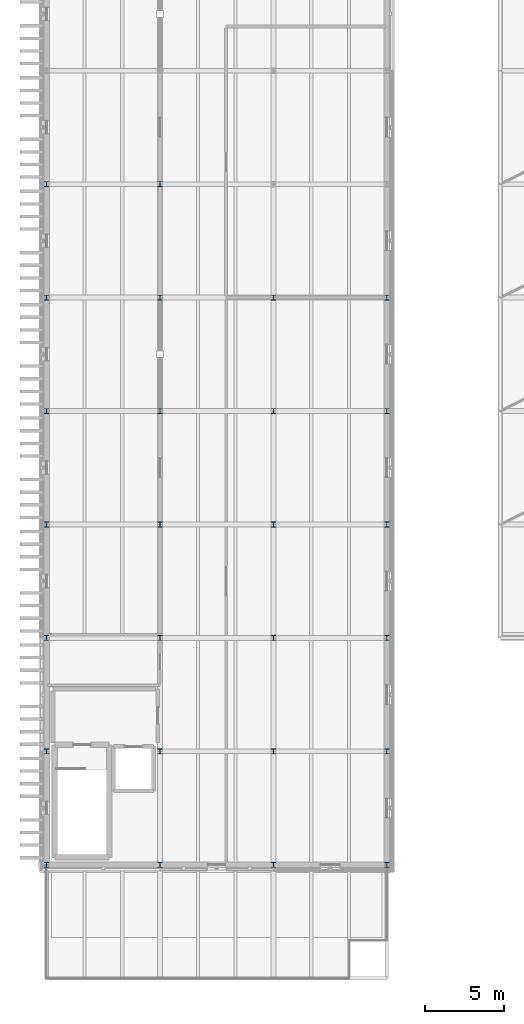
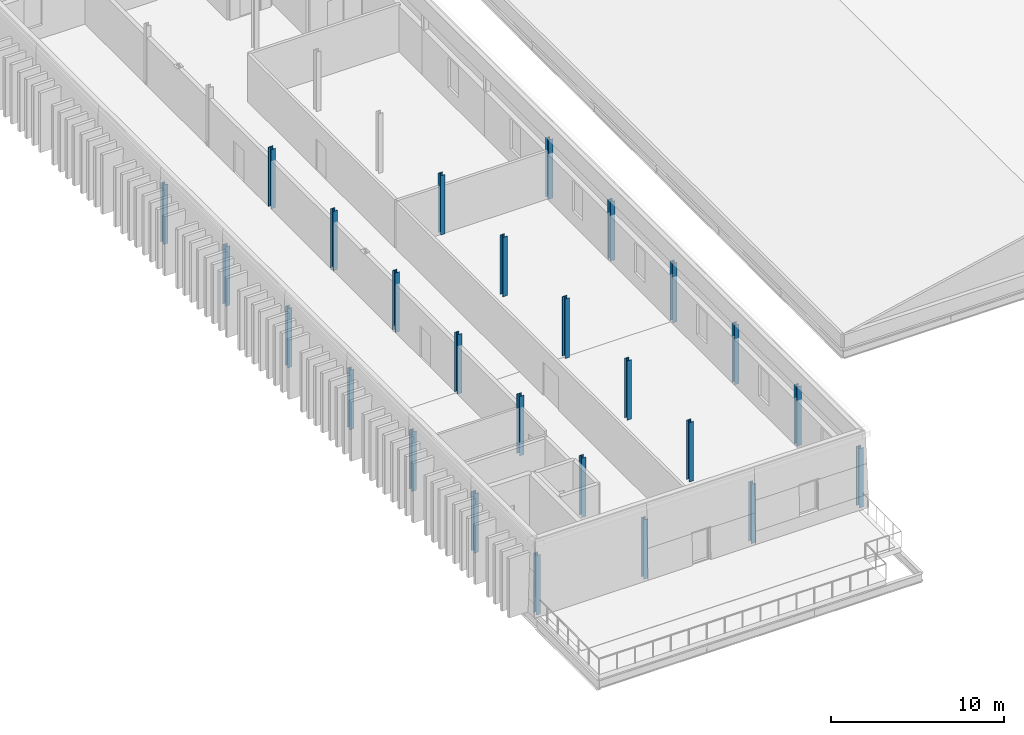
# One storey, part 1 of 44: 26 columns.
"""IFC4 building model written with IfcOpenShell, lengths in metres."""

from ifc_helpers import new_model, si_unit, direction, frame, origin, origin_2d, place, context, subcontext, project, spatial, i_section, extrude, material, material_profile, profile_set, type_object, element, save


model = new_model("IFC4")

# Units and contexts
model_context = context("Model", 3, precision=1e-05, world=origin(), true_north=direction((0.0, 1.0)))
body_context = subcontext(model_context, "Body", "Model", "MODEL_VIEW")
ifc_project = project(units=[si_unit("LENGTHUNIT", "METRE"), si_unit("AREAUNIT", "SQUARE_METRE"), si_unit("VOLUMEUNIT", "CUBIC_METRE"), si_unit("PLANEANGLEUNIT", "RADIAN"), si_unit("MASSUNIT", "GRAM", prefix="KILO")], contexts=[model_context])

# Site, building, storey
site_placement = place(None, origin())
site = spatial("IfcSite", under=ifc_project, at=site_placement, CompositionType="ELEMENT")
building_placement = place(site_placement, origin())
building = spatial("IfcBuilding", under=site, at=building_placement, Name="Narikvali Park Central Library", CompositionType="ELEMENT")
storey_placement = place(building_placement, frame((0.0, 0.0, 22.800048828125)))
storey = spatial("IfcBuildingStorey", under=building, at=storey_placement, Name="L05", CompositionType="ELEMENT", Elevation=22.800048828125)

# Columns
ifc_material = material(Name="Steel S355", Category="steel")
ifc_material_profile = material_profile(ifc_material, i_section(OverallWidth=0.300048828125, OverallDepth=0.320068359375, WebThickness=0.011474609375, FlangeThickness=0.0205078125, FilletRadius=0.027099609375, at=origin_2d()), Name="HEB 320")
ifc_profile_set = profile_set([ifc_material_profile], Name="Steel S355")
column_type = type_object("IfcColumnType", Name="Steel Column HEB320", PredefinedType="COLUMN", material=ifc_profile_set)
for number, where, z_axis, x_axis, name in (
    (1, (0.0, 43.199951171875, 0.0), (0.0, 0.0, 1.0), (1.0, 0.0, 0.0), "V5 L05 Column (0.0,43.2)"),
    (2, (0.0, 50.39990234375, 0.0), (0.0, 0.0, 1.0), (1.0, 0.0, 0.0), "V5 L05 Column (0.0,50.4)"),
    (3, (0.0, 57.60009765625, 0.0), (0.0, 0.0, 1.0), (1.0, 0.0, 0.0), "V5 L05 Column (0.0,57.6)"),
    (4, (0.0, 64.800048828125, 0.0), (0.0, 0.0, 1.0), (1.0, 0.0, 0.0), "V5 L05 Column (0.0,64.8)"),
    (5, (0.0, 72.0, 0.0), (0.0, 0.0, 1.0), (1.0, 0.0, 0.0), "V5 L05 Column (0.0,72.0)"),
    (6, (0.0, 79.199951171875, 0.0), (0.0, 0.0, 1.0), (1.0, 0.0, 0.0), "V5 L05 Column (0.0,79.2)"),
    (7, (0.0, 86.39990234375, 0.0), (0.0, 0.0, 1.0), (1.0, 0.0, 0.0), "V5 L05 Column (0.0,86.4)"),
    (8, (7.199951171875, 43.199951171875, 0.0), (0.0, 0.0, 1.0), (1.0, 0.0, 0.0), "V5 L05 Column (7.2,43.2)"),
    (9, (7.199951171875, 50.39990234375, 0.0), (0.0, 0.0, 1.0), (1.0, 0.0, 0.0), "V5 L05 Column (7.2,50.4)"),
    (10, (7.199951171875, 57.60009765625, 0.0), (0.0, 0.0, 1.0), (1.0, 0.0, 0.0), "V5 L05 Column (7.2,57.6)"),
    (11, (7.199951171875, 64.800048828125, 0.0), (0.0, 0.0, 1.0), (1.0, 0.0, 0.0), "V5 L05 Column (7.2,64.8)"),
    (12, (7.199951171875, 72.0, 0.0), (0.0, 0.0, 1.0), (1.0, 0.0, 0.0), "V5 L05 Column (7.2,72.0)"),
    (13, (7.199951171875, 79.199951171875, 0.0), (0.0, 0.0, 1.0), (1.0, 0.0, 0.0), "V5 L05 Column (7.2,79.2)"),
    (14, (7.199951171875, 86.39990234375, 0.0), (0.0, 0.0, 1.0), (1.0, 0.0, 0.0), "V5 L05 Column (7.2,86.4)"),
    (15, (14.39990234375, 43.199951171875, 0.0), (0.0, 0.0, 1.0), (1.0, 0.0, 0.0), "V5 L05 Column (14.4,43.2)"),
    (16, (14.39990234375, 50.39990234375, 0.0), (0.0, 0.0, 1.0), (1.0, 0.0, 0.0), "V5 L05 Column (14.4,50.4)"),
    (17, (14.39990234375, 57.60009765625, 0.0), (0.0, 0.0, 1.0), (1.0, 0.0, 0.0), "V5 L05 Column (14.4,57.6)"),
    (18, (14.39990234375, 64.800048828125, 0.0), (0.0, 0.0, 1.0), (1.0, 0.0, 0.0), "V5 L05 Column (14.4,64.8)"),
    (19, (14.39990234375, 72.0, 0.0), (0.0, 0.0, 1.0), (1.0, 0.0, 0.0), "V5 L05 Column (14.4,72.0)"),
    (20, (14.39990234375, 79.199951171875, 0.0), (0.0, 0.0, 1.0), (1.0, 0.0, 0.0), "V5 L05 Column (14.4,79.2)"),
    (21, (21.60009765625, 43.199951171875, 0.0), (0.0, 0.0, 1.0), (1.0, 0.0, 0.0), "V5 L05 Column (21.6,43.2)"),
    (22, (21.60009765625, 50.39990234375, 0.0), (0.0, 0.0, 1.0), (1.0, 0.0, 0.0), "V5 L05 Column (21.6,50.4)"),
    (23, (21.60009765625, 57.60009765625, 0.0), (0.0, 0.0, 1.0), (1.0, 0.0, 0.0), "V5 L05 Column (21.6,57.6)"),
    (24, (21.60009765625, 64.800048828125, 0.0), (0.0, 0.0, 1.0), (1.0, 0.0, 0.0), "V5 L05 Column (21.6,64.8)"),
    (25, (21.60009765625, 72.0, 0.0), (0.0, 0.0, 1.0), (1.0, 0.0, 0.0), "V5 L05 Column (21.6,72.0)"),
    (26, (21.60009765625, 79.199951171875, 0.0), (0.0, 0.0, 1.0), (1.0, 0.0, 0.0), "V5 L05 Column (21.6,79.2)"),
):
    element("IfcColumn", number, at=place(storey_placement, frame(where, z_axis=z_axis, x_axis=x_axis)), inside=storey, type_object=column_type, Name=name, PredefinedType="COLUMN", context=body_context, shape_type="SweptSolid", body=[
        extrude(i_section(OverallWidth=0.300048828125, OverallDepth=0.320068359375, WebThickness=0.011474609375, FlangeThickness=0.0205078125, FilletRadius=0.027099609375, at=origin_2d()), origin(), (0.0, 0.0, 1.0), 4.199951171875),
    ])

save(model, "model.ifc")
